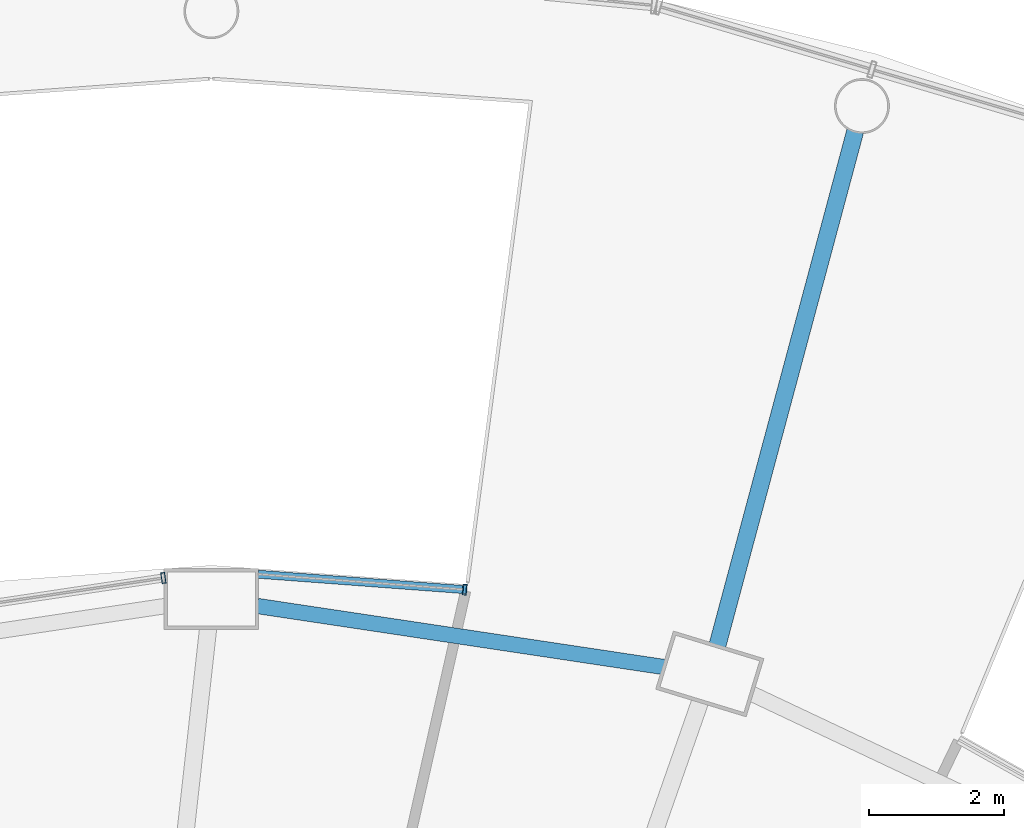
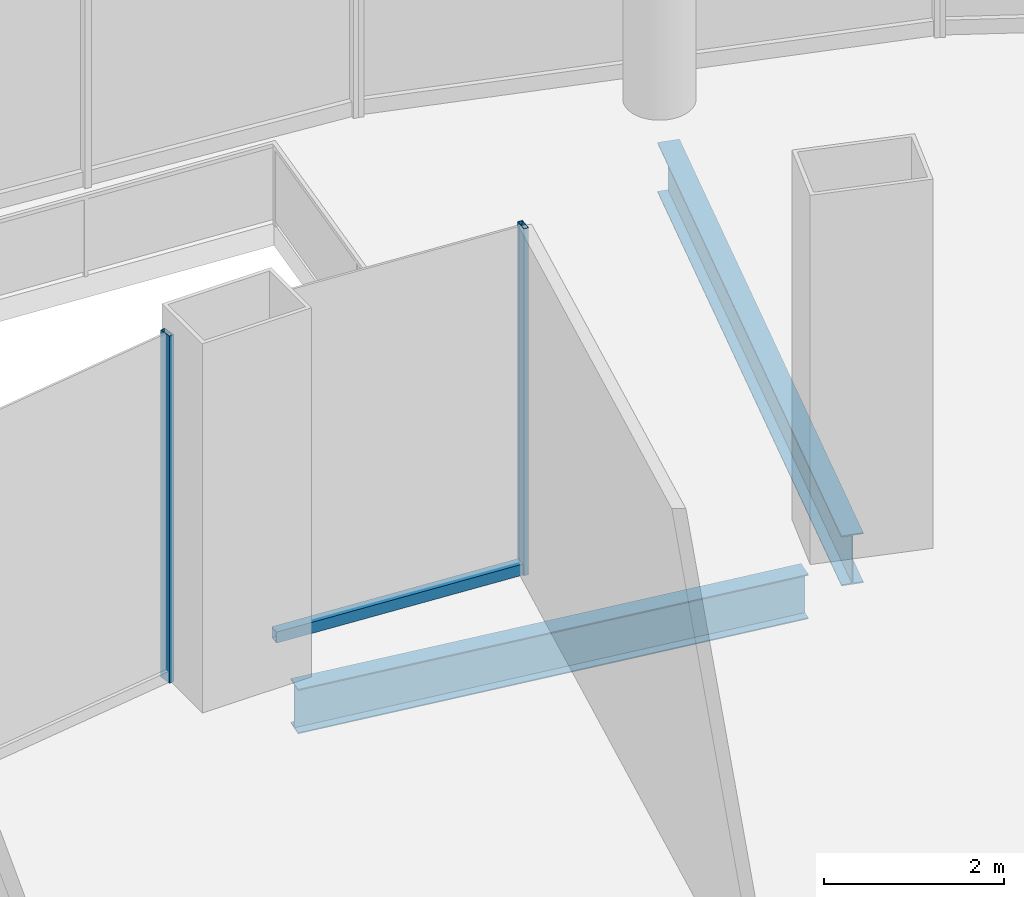
# One storey, part 34 of 47: 3 members, 2 beams, 2 elements without a shape of their own.
"""IFC4 building model written with IfcOpenShell, lengths in metres."""

from ifc_helpers import new_model, si_unit, direction, frame, origin, origin_2d, place, context, subcontext, project, spatial, hollow_rectangle, i_section, extrude, material, layer, layer_set, material_profile, profile_set, type_object, element, aggregate, save


model = new_model("IFC4")

# Units and contexts
model_context = context("Model", 3, precision=1e-05, world=origin(), true_north=direction((0.0, 1.0)))
body_context = subcontext(model_context, "Body", "Model", "MODEL_VIEW")
ifc_project = project(units=[si_unit("LENGTHUNIT", "METRE"), si_unit("AREAUNIT", "SQUARE_METRE"), si_unit("VOLUMEUNIT", "CUBIC_METRE"), si_unit("PLANEANGLEUNIT", "RADIAN"), si_unit("MASSUNIT", "GRAM", prefix="KILO")], contexts=[model_context])

# Site, building, storey
site_placement = place(None, origin())
site = spatial("IfcSite", under=ifc_project, at=site_placement, CompositionType="ELEMENT")
building_placement = place(site_placement, origin())
building = spatial("IfcBuilding", under=site, at=building_placement, Name="Nagisa Residences", CompositionType="ELEMENT")
storey_placement = place(building_placement, frame((0.0, 0.0, 7.0)))
storey = spatial("IfcBuildingStorey", under=building, at=storey_placement, Name="L01", CompositionType="ELEMENT", Elevation=7.0)

# Beam
ifc_material_1 = material(Name="Steel ASTM A572 Gr 50", Category="steel")
ifc_material_profile_1 = material_profile(ifc_material_1, i_section(OverallWidth=0.2529296875, OverallDepth=0.677978515625, WebThickness=0.01171875, FlangeThickness=0.016357421875, at=origin_2d()), Name="W690x125")
ifc_profile_set_1 = profile_set([ifc_material_profile_1], Name="Steel ASTM A572 Gr 50")
beam_type_1 = type_object("IfcBeamType", Name="Atrium bridge beam W690x125", PredefinedType="BEAM", material=ifc_profile_set_1)
beam_1_placement = place(storey_placement, frame((11.087646484375, 31.80810546875, -0.638916015625), z_axis=(0.258809356376, 0.965928422324, 0.0), x_axis=(-0.965928422324, 0.258809356376, 0.0)))
element("IfcBeam", 1, at=beam_1_placement, inside=storey, type_object=beam_type_1, Name="beam:L01:br06", PredefinedType="BEAM", context=body_context, shape_type="SweptSolid", body=[
    extrude(i_section(OverallWidth=0.2529296875, OverallDepth=0.677978515625, WebThickness=0.01171875, FlangeThickness=0.016357421875, at=origin_2d()), origin(), (0.0, 0.0, 1.0), 7.88330078125),
])

# Curtain wall, member
ifc_material_2 = material(Name="Stainless steel curtain wall system", Category="steel")
ifc_layer = layer(ifc_material_2, 0.159912109375)
ifc_layer_set = layer_set([ifc_layer], Name="CW6 CURTAIN WALL")
curtain_wall_type = type_object("IfcCurtainWallType", Name="CW6 CURTAIN WALL", PredefinedType="NOTDEFINED", material=ifc_layer_set)
curtain_wall_1_placement = place(storey_placement, origin())
curtain_wall_1 = element("IfcCurtainWall", 2, at=curtain_wall_1_placement, inside=storey, type_object=curtain_wall_type, Name="cw:CW6:L01:11", PredefinedType="NOTDEFINED")
ifc_material_3 = material(Name="Stainless steel", Category="steel")
ifc_material_profile_2 = material_profile(ifc_material_3, hollow_rectangle(XDim=0.159912109375, YDim=0.06005859375, WallThickness=0.006103515625, at=origin_2d()), Name="CW6 MULLION 160x60")
ifc_profile_set_2 = profile_set([ifc_material_profile_2], Name="Stainless steel")
member_type_1 = type_object("IfcMemberType", Name="CW6 MULLION 160x60", PredefinedType="MULLION", material=ifc_profile_set_2)
member_1_placement = place(storey_placement, frame((7.349365234375, 32.64013671875, 0.0), z_axis=(0.0, 0.0, 1.0), x_axis=(-0.074377355493, -0.997230168512, 0.0)))
member_1 = element("IfcMember", 3, at=member_1_placement, type_object=member_type_1, Name="CW6 mullion", PredefinedType="MULLION", context=body_context, shape_type="SweptSolid", body=[
    extrude(hollow_rectangle(XDim=0.159912109375, YDim=0.06005859375, WallThickness=0.006103515625, at=origin_2d()), origin(), (0.0, 0.0, 1.0), 4.699951171875),
])

curtain_wall_2_placement = place(storey_placement, origin())
curtain_wall_2 = element("IfcCurtainWall", 4, at=curtain_wall_2_placement, inside=storey, type_object=curtain_wall_type, Name="cw:CW6:L01:12", PredefinedType="NOTDEFINED")
member_2_placement = place(storey_placement, frame((2.889892578125, 32.812744140625, 0.0), z_axis=(0.0, 0.0, 1.0), x_axis=(0.148158096894, -0.988963689083, 0.0)))
member_2 = element("IfcMember", 5, at=member_2_placement, type_object=member_type_1, Name="CW6 mullion", PredefinedType="MULLION", context=body_context, shape_type="SweptSolid", body=[
    extrude(hollow_rectangle(XDim=0.159912109375, YDim=0.06005859375, WallThickness=0.006103515625, at=origin_2d()), origin(), (0.0, 0.0, 1.0), 4.699951171875),
])
aggregate(curtain_wall_2, [member_2])

# Member
ifc_material_4 = material(Name="Stainless steel", Category="steel")
ifc_material_profile_3 = material_profile(ifc_material_4, hollow_rectangle(XDim=0.1201171875, YDim=0.14990234375, WallThickness=0.008056640625, at=origin_2d()), Name="CW6 TRANSOM 120x150")
ifc_profile_set_3 = profile_set([ifc_material_profile_3], Name="Stainless steel")
member_type_2 = type_object("IfcMemberType", Name="CW6 TRANSOM 120x150", PredefinedType="USERDEFINED", material=ifc_profile_set_3)
member_3_placement = place(storey_placement, frame((7.37939453125, 32.637939453125, 0.074951171875), z_axis=(-0.997231270995, 0.07436257224, 0.0), x_axis=(-0.07436257224, -0.997231270995, 0.0)))
member_3 = element("IfcMember", 6, at=member_3_placement, type_object=member_type_2, Name="CW6 transom", ObjectType="TRANSOM", PredefinedType="USERDEFINED", context=body_context, shape_type="SweptSolid", body=[
    extrude(hollow_rectangle(XDim=0.1201171875, YDim=0.14990234375, WallThickness=0.008056640625, at=origin_2d()), origin(), (0.0, 0.0, 1.0), 3.095947265625),
])

aggregate(curtain_wall_1, [member_1, member_3])

# Beam
ifc_material_5 = material(Name="Steel ASTM A572 Gr 50", Category="steel")
ifc_material_profile_4 = material_profile(ifc_material_5, i_section(OverallWidth=0.22802734375, OverallDepth=0.60302734375, WebThickness=0.010498046875, FlangeThickness=0.014892578125, at=origin_2d()), Name="W610x101")
ifc_profile_set_4 = profile_set([ifc_material_profile_4], Name="Steel ASTM A572 Gr 50")
beam_type_2 = type_object("IfcBeamType", Name="Perimeter ring beam W610x101", PredefinedType="BEAM", material=ifc_profile_set_4)
beam_2_placement = place(storey_placement, frame((10.29638671875, 31.49462890625, -0.6015625), z_axis=(-0.988914559467, 0.14848566959, 0.0), x_axis=(-0.14848566959, -0.988914559467, 0.0)))
element("IfcBeam", 7, at=beam_2_placement, inside=storey, type_object=beam_type_2, Name="beam:L01:pb06", PredefinedType="BEAM", context=body_context, shape_type="SweptSolid", body=[
    extrude(i_section(OverallWidth=0.22802734375, OverallDepth=0.60302734375, WebThickness=0.010498046875, FlangeThickness=0.014892578125, at=origin_2d()), origin(), (0.0, 0.0, 1.0), 6.08349609375),
])

save(model, "model.ifc")
